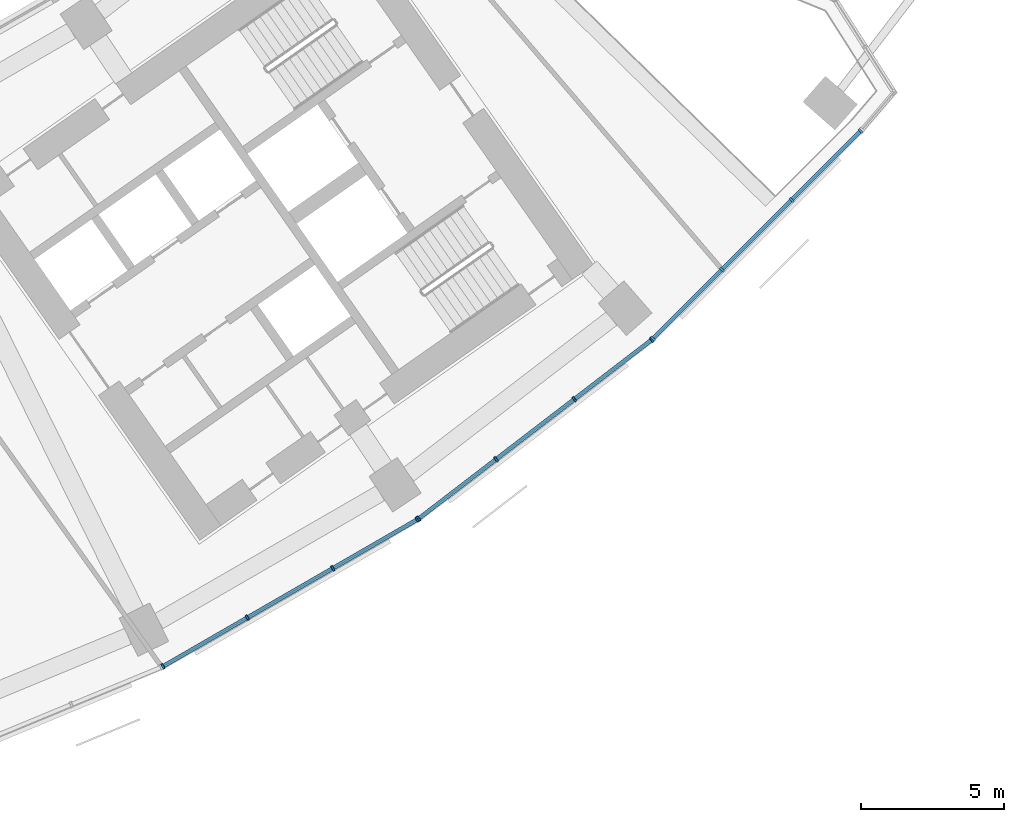
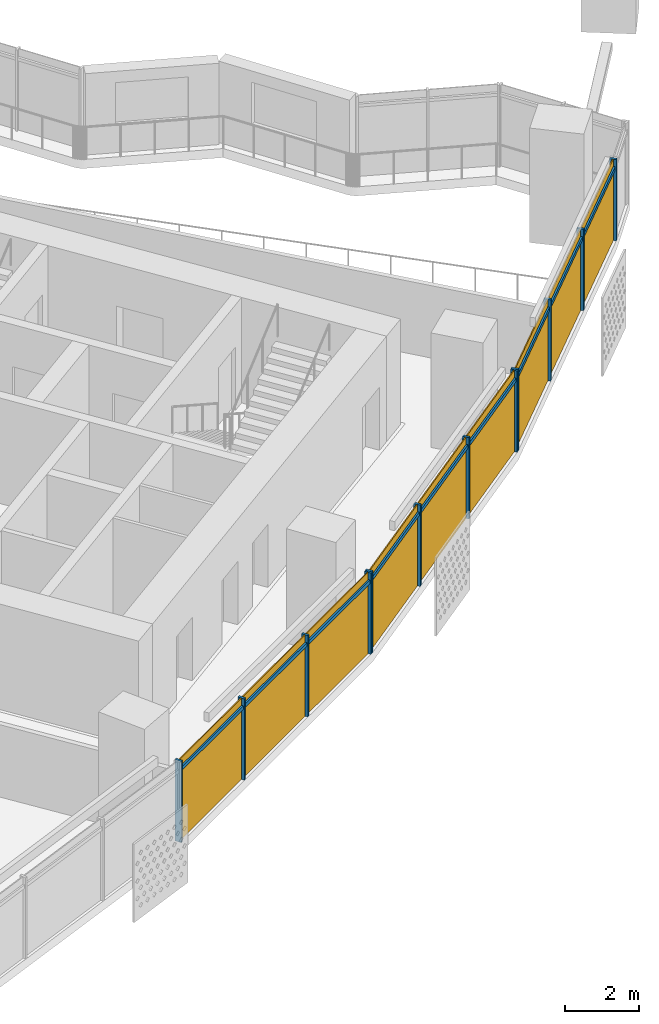
# One storey, part 22 of 30: 21 members, 3 curtain walls.
"""IFC4 building model written with IfcOpenShell, lengths in metres."""

from ifc_helpers import new_model, si_unit, direction, frame, origin, origin_2d, place, context, subcontext, project, spatial, rectangle, extrude, material, material_profile, profile_set, type_object, element, aggregate, save


model = new_model("IFC4")

# Units and contexts
model_context = context("Model", 3, precision=1e-05, world=origin(), true_north=direction((0.0, 1.0)))
body_context = subcontext(model_context, "Body", "Model", "MODEL_VIEW")
ifc_project = project(units=[si_unit("LENGTHUNIT", "METRE"), si_unit("AREAUNIT", "SQUARE_METRE"), si_unit("VOLUMEUNIT", "CUBIC_METRE"), si_unit("PLANEANGLEUNIT", "RADIAN"), si_unit("MASSUNIT", "GRAM", prefix="KILO")], contexts=[model_context])

# Member
ifc_material = material(Name="Aluminium 6063-T6 anodised", Category="aluminium")
ifc_material_profile_1 = material_profile(ifc_material, rectangle(XDim=0.199951171875, YDim=0.070068359375, at=origin_2d()))
ifc_profile_set_1 = profile_set([ifc_material_profile_1], Name="Aluminium 6063-T6 anodised")
member_type_1 = type_object("IfcMemberType", Name="Mullion 70 x 200 aluminium", PredefinedType="MULLION", material=ifc_profile_set_1)
site_placement = place(None, origin())
building_placement = place(site_placement, origin())
storey_placement = place(building_placement, frame((0.0, 0.0, 98.699951171875)))
member_1_placement = place(storey_placement, frame((35.0537109375, -71.017822265625, 0.0), z_axis=(0.0, 0.0, 1.0), x_axis=(-0.5, 0.866025403784, 0.0)))
member_1 = element("IfcMember", 1, at=member_1_placement, type_object=member_type_1, Name="e-cw1-L21-out13/M00", PredefinedType="MULLION", context=body_context, shape_type="SweptSolid", body=[
    extrude(rectangle(XDim=0.199951171875, YDim=0.070068359375, at=origin_2d()), origin(), (0.0, 0.0, 1.0), 2.699951171875),
])

member_2_placement = place(storey_placement, frame((38.017822265625, -69.306640625, 0.0), z_axis=(0.0, 0.0, 1.0), x_axis=(-0.5, 0.866025403784, 0.0)))
member_2 = element("IfcMember", 2, at=member_2_placement, type_object=member_type_1, Name="e-cw1-L21-out13/M01", PredefinedType="MULLION", context=body_context, shape_type="SweptSolid", body=[
    extrude(rectangle(XDim=0.199951171875, YDim=0.070068359375, at=origin_2d()), origin(), (0.0, 0.0, 1.0), 2.699951171875),
])

member_3_placement = place(storey_placement, frame((41.01220703125, -67.577880859375, 0.0), z_axis=(0.0, 0.0, 1.0), x_axis=(-0.5, 0.866025403784, 0.0)))
member_3 = element("IfcMember", 3, at=member_3_placement, type_object=member_type_1, Name="e-cw1-L21-out13/M02", PredefinedType="MULLION", context=body_context, shape_type="SweptSolid", body=[
    extrude(rectangle(XDim=0.199951171875, YDim=0.070068359375, at=origin_2d()), origin(), (0.0, 0.0, 1.0), 2.699951171875),
])

member_4_placement = place(storey_placement, frame((43.976318359375, -65.866455078125, 0.0), z_axis=(0.0, 0.0, 1.0), x_axis=(-0.5, 0.866025403784, 0.0)))
member_4 = element("IfcMember", 4, at=member_4_placement, type_object=member_type_1, Name="e-cw1-L21-out13/M03", PredefinedType="MULLION", context=body_context, shape_type="SweptSolid", body=[
    extrude(rectangle(XDim=0.199951171875, YDim=0.070068359375, at=origin_2d()), origin(), (0.0, 0.0, 1.0), 2.699951171875),
])

member_5_placement = place(storey_placement, frame((44.023681640625, -65.8349609375, 0.0), z_axis=(0.0, 0.0, 1.0), x_axis=(-0.608761429009, 0.793353340291, 0.0)))
member_5 = element("IfcMember", 5, at=member_5_placement, type_object=member_type_1, Name="e-cw1-L21-out14/M00", PredefinedType="MULLION", context=body_context, shape_type="SweptSolid", body=[
    extrude(rectangle(XDim=0.199951171875, YDim=0.070068359375, at=origin_2d()), origin(), (0.0, 0.0, 1.0), 2.699951171875),
])

member_6_placement = place(storey_placement, frame((46.739013671875, -63.751220703125, 0.0), z_axis=(0.0, 0.0, 1.0), x_axis=(-0.608761429009, 0.793353340291, 0.0)))
member_6 = element("IfcMember", 6, at=member_6_placement, type_object=member_type_1, Name="e-cw1-L21-out14/M01", PredefinedType="MULLION", context=body_context, shape_type="SweptSolid", body=[
    extrude(rectangle(XDim=0.199951171875, YDim=0.070068359375, at=origin_2d()), origin(), (0.0, 0.0, 1.0), 2.699951171875),
])

member_7_placement = place(storey_placement, frame((49.482177734375, -61.646484375, 0.0), z_axis=(0.0, 0.0, 1.0), x_axis=(-0.608761429009, 0.793353340291, 0.0)))
member_7 = element("IfcMember", 7, at=member_7_placement, type_object=member_type_1, Name="e-cw1-L21-out14/M02", PredefinedType="MULLION", context=body_context, shape_type="SweptSolid", body=[
    extrude(rectangle(XDim=0.199951171875, YDim=0.070068359375, at=origin_2d()), origin(), (0.0, 0.0, 1.0), 2.699951171875),
])

member_8_placement = place(storey_placement, frame((52.197509765625, -59.56298828125, 0.0), z_axis=(0.0, 0.0, 1.0), x_axis=(-0.608761429009, 0.793353340291, 0.0)))
member_8 = element("IfcMember", 8, at=member_8_placement, type_object=member_type_1, Name="e-cw1-L21-out14/M03", PredefinedType="MULLION", context=body_context, shape_type="SweptSolid", body=[
    extrude(rectangle(XDim=0.199951171875, YDim=0.070068359375, at=origin_2d()), origin(), (0.0, 0.0, 1.0), 2.699951171875),
])

member_9_placement = place(storey_placement, frame((52.240234375, -59.525390625, 0.0), z_axis=(0.0, 0.0, 1.0), x_axis=(-0.707106781187, 0.707106781187, 0.0)))
member_9 = element("IfcMember", 9, at=member_9_placement, type_object=member_type_1, Name="e-cw1-L21-out15/M00", PredefinedType="MULLION", context=body_context, shape_type="SweptSolid", body=[
    extrude(rectangle(XDim=0.199951171875, YDim=0.070068359375, at=origin_2d()), origin(), (0.0, 0.0, 1.0), 2.699951171875),
])

member_10_placement = place(storey_placement, frame((54.660400390625, -57.105224609375, 0.0), z_axis=(0.0, 0.0, 1.0), x_axis=(-0.707106781187, 0.707106781187, 0.0)))
member_10 = element("IfcMember", 10, at=member_10_placement, type_object=member_type_1, Name="e-cw1-L21-out15/M01", PredefinedType="MULLION", context=body_context, shape_type="SweptSolid", body=[
    extrude(rectangle(XDim=0.199951171875, YDim=0.070068359375, at=origin_2d()), origin(), (0.0, 0.0, 1.0), 2.699951171875),
])

member_11_placement = place(storey_placement, frame((57.105224609375, -54.660400390625, 0.0), z_axis=(0.0, 0.0, 1.0), x_axis=(-0.707106781187, 0.707106781187, 0.0)))
member_11 = element("IfcMember", 11, at=member_11_placement, type_object=member_type_1, Name="e-cw1-L21-out15/M02", PredefinedType="MULLION", context=body_context, shape_type="SweptSolid", body=[
    extrude(rectangle(XDim=0.199951171875, YDim=0.070068359375, at=origin_2d()), origin(), (0.0, 0.0, 1.0), 2.699951171875),
])

member_12_placement = place(storey_placement, frame((59.525390625, -52.240234375, 0.0), z_axis=(0.0, 0.0, 1.0), x_axis=(-0.707106781187, 0.707106781187, 0.0)))
member_12 = element("IfcMember", 12, at=member_12_placement, type_object=member_type_1, Name="e-cw1-L21-out15/M03", PredefinedType="MULLION", context=body_context, shape_type="SweptSolid", body=[
    extrude(rectangle(XDim=0.199951171875, YDim=0.070068359375, at=origin_2d()), origin(), (0.0, 0.0, 1.0), 2.699951171875),
])

ifc_material_profile_2 = material_profile(ifc_material, rectangle(XDim=0.139892578125, YDim=0.1201171875, at=origin_2d()))
ifc_profile_set_2 = profile_set([ifc_material_profile_2], Name="Aluminium 6063-T6 anodised")
member_type_2 = type_object("IfcMemberType", Name="Transom 120 x 140 aluminium", PredefinedType="USERDEFINED", material=ifc_profile_set_2)
member_13_placement = place(storey_placement, frame((35.084228515625, -71.00048828125, 2.400146484375), z_axis=(0.865989120267, 0.50006283963, 0.0), x_axis=(-0.50006283963, 0.865989120267, 0.0)))
member_13 = element("IfcMember", 13, at=member_13_placement, type_object=member_type_2, Name="e-cw1-L21-out13/T00", ObjectType="TRANSOM", PredefinedType="USERDEFINED", context=body_context, shape_type="SweptSolid", body=[
    extrude(rectangle(XDim=0.139892578125, YDim=0.1201171875, at=origin_2d()), origin(), (0.0, 0.0, 1.0), 3.3525390625),
])

member_14_placement = place(storey_placement, frame((38.048095703125, -69.2890625, 2.400146484375), z_axis=(0.866025971257, 0.499999017107, 0.0), x_axis=(-0.499999017107, 0.866025971257, 0.0)))
member_14 = element("IfcMember", 14, at=member_14_placement, type_object=member_type_2, Name="e-cw1-L21-out13/T01", ObjectType="TRANSOM", PredefinedType="USERDEFINED", context=body_context, shape_type="SweptSolid", body=[
    extrude(rectangle(XDim=0.139892578125, YDim=0.1201171875, at=origin_2d()), origin(), (0.0, 0.0, 1.0), 3.3876953125),
])

member_15_placement = place(storey_placement, frame((41.042724609375, -67.560302734375, 2.400146484375), z_axis=(0.866020654818, 0.50000822536, 0.0), x_axis=(-0.50000822536, 0.866020654818, 0.0)))
member_15 = element("IfcMember", 15, at=member_15_placement, type_object=member_type_2, Name="e-cw1-L21-out13/T02", ObjectType="TRANSOM", PredefinedType="USERDEFINED", context=body_context, shape_type="SweptSolid", body=[
    extrude(rectangle(XDim=0.139892578125, YDim=0.1201171875, at=origin_2d()), origin(), (0.0, 0.0, 1.0), 3.3525390625),
])

member_16_placement = place(storey_placement, frame((44.05126953125, -65.8134765625, 2.400146484375), z_axis=(0.793389477316, 0.608714331426, 0.0), x_axis=(-0.608714331426, 0.793389477316, 0.0)))
member_16 = element("IfcMember", 16, at=member_16_placement, type_object=member_type_2, Name="e-cw1-L21-out14/T00", ObjectType="TRANSOM", PredefinedType="USERDEFINED", context=body_context, shape_type="SweptSolid", body=[
    extrude(rectangle(XDim=0.139892578125, YDim=0.1201171875, at=origin_2d()), origin(), (0.0, 0.0, 1.0), 3.3525390625),
])

member_17_placement = place(storey_placement, frame((46.766845703125, -63.72998046875, 2.400146484375), z_axis=(0.793344133173, 0.608773427772, 0.0), x_axis=(-0.608773427772, 0.793344133173, 0.0)))
member_17 = element("IfcMember", 17, at=member_17_placement, type_object=member_type_2, Name="e-cw1-L21-out14/T01", ObjectType="TRANSOM", PredefinedType="USERDEFINED", context=body_context, shape_type="SweptSolid", body=[
    extrude(rectangle(XDim=0.139892578125, YDim=0.1201171875, at=origin_2d()), origin(), (0.0, 0.0, 1.0), 3.387451171875),
])

member_18_placement = place(storey_placement, frame((49.509765625, -61.625244140625, 2.400146484375), z_axis=(0.793354308621, 0.608760167055, 0.0), x_axis=(-0.608760167055, 0.793354308621, 0.0)))
member_18 = element("IfcMember", 18, at=member_18_placement, type_object=member_type_2, Name="e-cw1-L21-out14/T02", ObjectType="TRANSOM", PredefinedType="USERDEFINED", context=body_context, shape_type="SweptSolid", body=[
    extrude(rectangle(XDim=0.139892578125, YDim=0.1201171875, at=origin_2d()), origin(), (0.0, 0.0, 1.0), 3.352783203125),
])

member_19_placement = place(storey_placement, frame((52.264892578125, -59.500732421875, 2.400146484375), z_axis=(0.707106781187, 0.707106781187, 0.0), x_axis=(-0.707106781187, 0.707106781187, 0.0)))
member_19 = element("IfcMember", 19, at=member_19_placement, type_object=member_type_2, Name="e-cw1-L21-out15/T00", ObjectType="TRANSOM", PredefinedType="USERDEFINED", context=body_context, shape_type="SweptSolid", body=[
    extrude(rectangle(XDim=0.139892578125, YDim=0.1201171875, at=origin_2d()), origin(), (0.0, 0.0, 1.0), 3.3525390625),
])

member_20_placement = place(storey_placement, frame((54.68505859375, -57.08056640625, 2.400146484375), z_axis=(0.707106781187, 0.707106781187, 0.0), x_axis=(-0.707106781187, 0.707106781187, 0.0)))
member_20 = element("IfcMember", 20, at=member_20_placement, type_object=member_type_2, Name="e-cw1-L21-out15/T01", ObjectType="TRANSOM", PredefinedType="USERDEFINED", context=body_context, shape_type="SweptSolid", body=[
    extrude(rectangle(XDim=0.139892578125, YDim=0.1201171875, at=origin_2d()), origin(), (0.0, 0.0, 1.0), 3.3876953125),
])

member_21_placement = place(storey_placement, frame((57.130126953125, -54.635498046875, 2.400146484375), z_axis=(0.707106781187, 0.707106781187, 0.0), x_axis=(-0.707106781187, 0.707106781187, 0.0)))
member_21 = element("IfcMember", 21, at=member_21_placement, type_object=member_type_2, Name="e-cw1-L21-out15/T02", ObjectType="TRANSOM", PredefinedType="USERDEFINED", context=body_context, shape_type="SweptSolid", body=[
    extrude(rectangle(XDim=0.139892578125, YDim=0.1201171875, at=origin_2d()), origin(), (0.0, 0.0, 1.0), 3.3525390625),
])

# Site, building, storey
site = spatial("IfcSite", under=ifc_project, at=site_placement, CompositionType="ELEMENT")
building = spatial("IfcBuilding", under=site, at=building_placement, Name="Qamariyya Broadcast Tower", CompositionType="ELEMENT")
storey = spatial("IfcBuildingStorey", under=building, at=storey_placement, Name="L21", CompositionType="ELEMENT", Elevation=98.699951171875)

# Curtain wall
curtain_wall_type = type_object("IfcCurtainWallType", Name="Unitised curtain wall, anodised aluminium", PredefinedType="NOTDEFINED", material=ifc_material)
curtain_wall_1_placement = place(storey_placement, origin())
curtain_wall_1 = element("IfcCurtainWall", 22, at=curtain_wall_1_placement, inside=storey, type_object=curtain_wall_type, Name="e-cw1-L21-out13", PredefinedType="NOTDEFINED", context=body_context, shape_type="SweptSolid", body=[
    extrude(rectangle(XDim=3.352783203125, YDim=0.031982421875, at=origin_2d()), frame((36.535888671875, -70.162109375, 0.0), x_axis=(0.866027243369, 0.499996813733, 0.0)), (0.0, 0.0, 1.0), 2.340087890625),
    extrude(rectangle(XDim=3.352783203125, YDim=0.031982421875, at=origin_2d()), frame((36.535888671875, -70.162109375, 2.4599609375), x_axis=(0.866027243369, 0.499996813733, 0.0)), (0.0, 0.0, 1.0), 0.239990234375),
    extrude(rectangle(XDim=3.3876953125, YDim=0.031982421875, at=origin_2d()), frame((39.51513671875, -68.442138671875, 0.0), x_axis=(0.866027243369, 0.499996813733, 0.0)), (0.0, 0.0, 1.0), 2.340087890625),
    extrude(rectangle(XDim=3.3876953125, YDim=0.031982421875, at=origin_2d()), frame((39.51513671875, -68.442138671875, 2.4599609375), x_axis=(0.866027243369, 0.499996813733, 0.0)), (0.0, 0.0, 1.0), 0.239990234375),
    extrude(rectangle(XDim=3.352783203125, YDim=0.031982421875, at=origin_2d()), frame((42.494384765625, -66.72216796875, 0.0), x_axis=(0.866027243369, 0.499996813733, 0.0)), (0.0, 0.0, 1.0), 2.340087890625),
    extrude(rectangle(XDim=3.352783203125, YDim=0.031982421875, at=origin_2d()), frame((42.494384765625, -66.72216796875, 2.4599609375), x_axis=(0.866027243369, 0.499996813733, 0.0)), (0.0, 0.0, 1.0), 0.239990234375),
])

aggregate(curtain_wall_1, [member_1, member_2, member_3, member_4, member_13, member_14, member_15])

curtain_wall_2_placement = place(storey_placement, origin())
curtain_wall_2 = element("IfcCurtainWall", 23, at=curtain_wall_2_placement, inside=storey, type_object=curtain_wall_type, Name="e-cw1-L21-out14", PredefinedType="NOTDEFINED", context=body_context, shape_type="SweptSolid", body=[
    extrude(rectangle(XDim=3.352783203125, YDim=0.031982421875, at=origin_2d()), frame((45.38134765625, -64.793212890625, 0.0), x_axis=(0.793354000839, 0.608760568165, 0.0)), (0.0, 0.0, 1.0), 2.340087890625),
    extrude(rectangle(XDim=3.352783203125, YDim=0.031982421875, at=origin_2d()), frame((45.38134765625, -64.793212890625, 2.4599609375), x_axis=(0.793354000839, 0.608760568165, 0.0)), (0.0, 0.0, 1.0), 0.239990234375),
    extrude(rectangle(XDim=3.3876953125, YDim=0.031982421875, at=origin_2d()), frame((48.110595703125, -62.69873046875, 0.0), x_axis=(0.793354000839, 0.608760568165, 0.0)), (0.0, 0.0, 1.0), 2.340087890625),
    extrude(rectangle(XDim=3.3876953125, YDim=0.031982421875, at=origin_2d()), frame((48.110595703125, -62.69873046875, 2.4599609375), x_axis=(0.793354000839, 0.608760568165, 0.0)), (0.0, 0.0, 1.0), 0.239990234375),
    extrude(rectangle(XDim=3.352783203125, YDim=0.031982421875, at=origin_2d()), frame((50.83984375, -60.6044921875, 0.0), x_axis=(0.793354000839, 0.608760568165, 0.0)), (0.0, 0.0, 1.0), 2.340087890625),
    extrude(rectangle(XDim=3.352783203125, YDim=0.031982421875, at=origin_2d()), frame((50.83984375, -60.6044921875, 2.4599609375), x_axis=(0.793354000839, 0.608760568165, 0.0)), (0.0, 0.0, 1.0), 0.239990234375),
])

aggregate(curtain_wall_2, [member_5, member_6, member_7, member_8, member_16, member_17, member_18])

curtain_wall_3_placement = place(storey_placement, origin())
curtain_wall_3 = element("IfcCurtainWall", 24, at=curtain_wall_3_placement, inside=storey, type_object=curtain_wall_type, Name="e-cw1-L21-out15", PredefinedType="NOTDEFINED", context=body_context, shape_type="SweptSolid", body=[
    extrude(rectangle(XDim=3.352783203125, YDim=0.031982421875, at=origin_2d()), frame((53.4501953125, -58.3154296875, 0.0), x_axis=(0.707106781187, 0.707106781187, 0.0)), (0.0, 0.0, 1.0), 2.340087890625),
    extrude(rectangle(XDim=3.352783203125, YDim=0.031982421875, at=origin_2d()), frame((53.4501953125, -58.3154296875, 2.4599609375), x_axis=(0.707106781187, 0.707106781187, 0.0)), (0.0, 0.0, 1.0), 0.239990234375),
    extrude(rectangle(XDim=3.3876953125, YDim=0.031982421875, at=origin_2d()), frame((55.8828125, -55.8828125, 0.0), x_axis=(0.707106781187, 0.707106781187, 0.0)), (0.0, 0.0, 1.0), 2.340087890625),
    extrude(rectangle(XDim=3.3876953125, YDim=0.031982421875, at=origin_2d()), frame((55.8828125, -55.8828125, 2.4599609375), x_axis=(0.707106781187, 0.707106781187, 0.0)), (0.0, 0.0, 1.0), 0.239990234375),
    extrude(rectangle(XDim=3.352783203125, YDim=0.031982421875, at=origin_2d()), frame((58.3154296875, -53.4501953125, 0.0), x_axis=(0.707106781187, 0.707106781187, 0.0)), (0.0, 0.0, 1.0), 2.340087890625),
    extrude(rectangle(XDim=3.352783203125, YDim=0.031982421875, at=origin_2d()), frame((58.3154296875, -53.4501953125, 2.4599609375), x_axis=(0.707106781187, 0.707106781187, 0.0)), (0.0, 0.0, 1.0), 0.239990234375),
])

aggregate(curtain_wall_3, [member_9, member_10, member_11, member_12, member_19, member_20, member_21])

save(model, "model.ifc")
